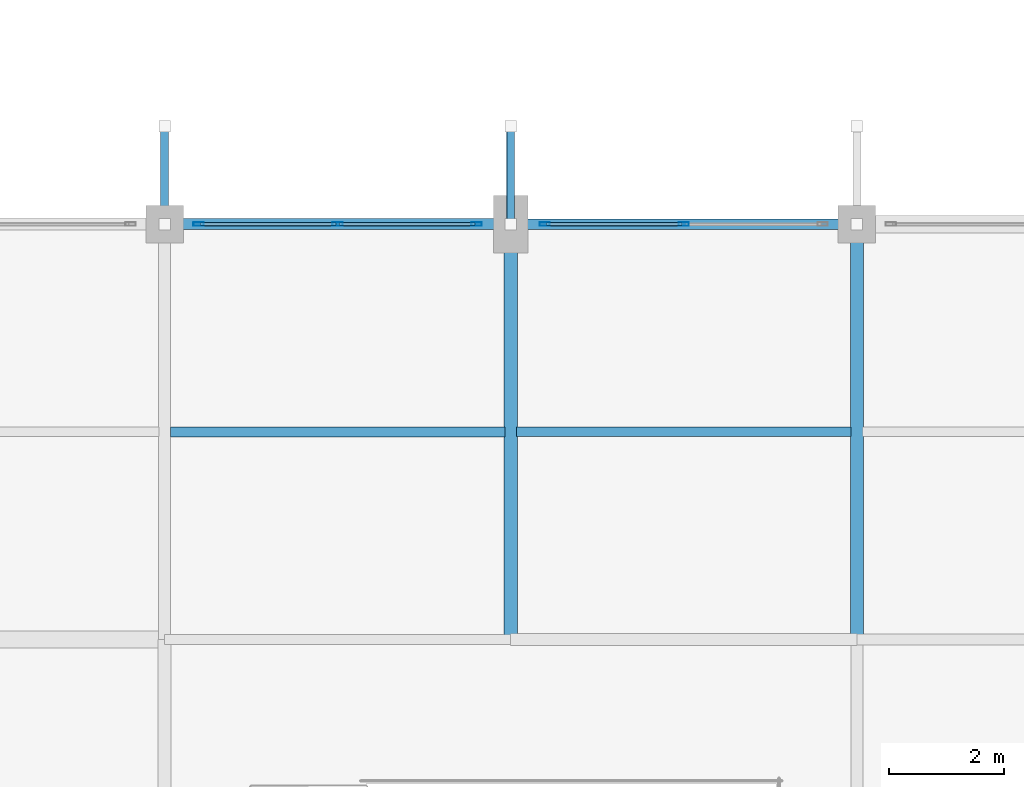
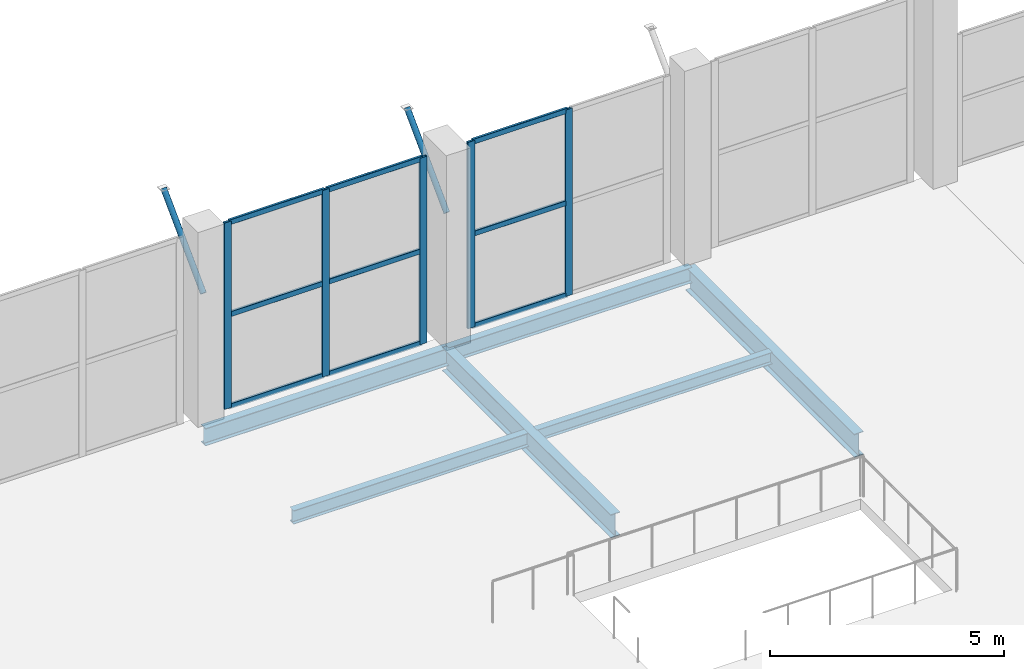
# One storey, part 59 of 127: 16 members, 6 beams, 2 elements without a shape of their own.
"""IFC4 building model written with IfcOpenShell, lengths in metres."""

from ifc_helpers import new_model, si_unit, direction, frame, origin, origin_2d, place, context, subcontext, project, spatial, hollow_rectangle, hollow_circle, i_section, extrude, material, layer, layer_set, material_profile, profile_set, type_object, element, aggregate, save


model = new_model("IFC4")

# Units and contexts
model_context = context("Model", 3, precision=1e-05, world=origin(), true_north=direction((0.0, 1.0)))
body_context = subcontext(model_context, "Body", "Model", "MODEL_VIEW")
ifc_project = project(units=[si_unit("LENGTHUNIT", "METRE"), si_unit("AREAUNIT", "SQUARE_METRE"), si_unit("VOLUMEUNIT", "CUBIC_METRE"), si_unit("PLANEANGLEUNIT", "RADIAN"), si_unit("MASSUNIT", "GRAM", prefix="KILO")], contexts=[model_context])

# Site, building, storey
site_placement = place(None, origin())
site = spatial("IfcSite", under=ifc_project, at=site_placement, CompositionType="ELEMENT")
building_placement = place(site_placement, origin())
building = spatial("IfcBuilding", under=site, at=building_placement, Name="Dunvalen Ferry Terminal", CompositionType="ELEMENT")
storey_placement = place(building_placement, frame((0.0, 0.0, 5.760009765625)))
storey = spatial("IfcBuildingStorey", under=building, at=storey_placement, Name="L01", CompositionType="ELEMENT", Elevation=5.760009765625)

# Curtain wall, members
ifc_material_1 = material(Name="Anodised marine aluminium and solar-control glazing", Category="aluminium")
ifc_layer = layer(ifc_material_1, 0.219970703125, Name="Anodised marine aluminium and solar-control glazing")
ifc_layer_set = layer_set([ifc_layer], Name="Anodised marine aluminium and solar-control glazing")
curtain_wall_type = type_object("IfcCurtainWallType", Name="ENV-CW-SYS-02", PredefinedType="NOTDEFINED", material=ifc_layer_set)
curtain_wall_1_placement = place(storey_placement, origin())
curtain_wall_1 = element("IfcCurtainWall", 1, at=curtain_wall_1_placement, inside=storey, type_object=curtain_wall_type, Name="L01 Curtain Wall CW-V1N-L01-12", PredefinedType="NOTDEFINED")
ifc_material_2 = material(Name="Anodised marine aluminium EN AW-6063 T6", Category="aluminium")
ifc_material_profile_1 = material_profile(ifc_material_2, hollow_rectangle(XDim=0.06005859375, YDim=0.179931640625, WallThickness=0.00341796875, InnerFilletRadius=0.00341796875, OuterFilletRadius=0.007080078125, at=origin_2d()), Name="Anodised marine aluminium EN AW-6063 T6")
ifc_profile_set_1 = profile_set([ifc_material_profile_1], Name="Anodised marine aluminium EN AW-6063 T6")
member_type_1 = type_object("IfcMemberType", Name="ENV-CW-MUL-2", PredefinedType="MULLION", material=ifc_profile_set_1)
member_1_placement = place(storey_placement, frame((78.590087890625, 86.39990234375, 0.0), z_axis=(0.0, 0.0, 1.0), x_axis=(0.0, 1.0, 0.0)))
member_1 = element("IfcMember", 2, at=member_1_placement, type_object=member_type_1, Name="CW-02 mullion 1", PredefinedType="MULLION", context=body_context, shape_type="SweptSolid", body=[
    extrude(hollow_rectangle(XDim=0.06005859375, YDim=0.179931640625, WallThickness=0.00341796875, InnerFilletRadius=0.00341796875, OuterFilletRadius=0.007080078125, at=origin_2d()), origin(), (0.0, 0.0, 1.0), 4.860107421875),
])
member_2_placement = place(storey_placement, frame((81.0, 86.39990234375, 0.0), z_axis=(0.0, 0.0, 1.0), x_axis=(0.0, 1.0, 0.0)))
member_2 = element("IfcMember", 3, at=member_2_placement, type_object=member_type_1, Name="CW-02 mullion 2", PredefinedType="MULLION", context=body_context, shape_type="SweptSolid", body=[
    extrude(hollow_rectangle(XDim=0.06005859375, YDim=0.179931640625, WallThickness=0.00341796875, InnerFilletRadius=0.00341796875, OuterFilletRadius=0.007080078125, at=origin_2d()), origin(), (0.0, 0.0, 1.0), 4.860107421875),
])
member_3_placement = place(storey_placement, frame((83.409912109375, 86.39990234375, 0.0), z_axis=(0.0, 0.0, 1.0), x_axis=(0.0, 1.0, 0.0)))
member_3 = element("IfcMember", 4, at=member_3_placement, type_object=member_type_1, Name="CW-02 mullion 3", PredefinedType="MULLION", context=body_context, shape_type="SweptSolid", body=[
    extrude(hollow_rectangle(XDim=0.06005859375, YDim=0.179931640625, WallThickness=0.00341796875, InnerFilletRadius=0.00341796875, OuterFilletRadius=0.007080078125, at=origin_2d()), origin(), (0.0, 0.0, 1.0), 4.860107421875),
])

curtain_wall_2_placement = place(storey_placement, origin())
curtain_wall_2 = element("IfcCurtainWall", 5, at=curtain_wall_2_placement, inside=storey, type_object=curtain_wall_type, Name="L01 Curtain Wall CW-V1N-L01-13", PredefinedType="NOTDEFINED")
member_4_placement = place(storey_placement, frame((84.590087890625, 86.39990234375, 0.0), z_axis=(0.0, 0.0, 1.0), x_axis=(0.0, 1.0, 0.0)))
member_4 = element("IfcMember", 6, at=member_4_placement, type_object=member_type_1, Name="CW-02 mullion 1", PredefinedType="MULLION", context=body_context, shape_type="SweptSolid", body=[
    extrude(hollow_rectangle(XDim=0.06005859375, YDim=0.179931640625, WallThickness=0.00341796875, InnerFilletRadius=0.00341796875, OuterFilletRadius=0.007080078125, at=origin_2d()), origin(), (0.0, 0.0, 1.0), 4.860107421875),
])
member_5_placement = place(storey_placement, frame((87.0, 86.39990234375, 0.0), z_axis=(0.0, 0.0, 1.0), x_axis=(0.0, 1.0, 0.0)))
member_5 = element("IfcMember", 7, at=member_5_placement, type_object=member_type_1, Name="CW-02 mullion 2", PredefinedType="MULLION", context=body_context, shape_type="SweptSolid", body=[
    extrude(hollow_rectangle(XDim=0.06005859375, YDim=0.179931640625, WallThickness=0.00341796875, InnerFilletRadius=0.00341796875, OuterFilletRadius=0.007080078125, at=origin_2d()), origin(), (0.0, 0.0, 1.0), 4.860107421875),
])

# Member
ifc_material_profile_2 = material_profile(ifc_material_2, hollow_rectangle(XDim=0.06005859375, YDim=0.135009765625, WallThickness=0.003173828125, InnerFilletRadius=0.003173828125, OuterFilletRadius=0.00634765625, at=origin_2d()), Name="Anodised marine aluminium EN AW-6063 T6")
ifc_profile_set_2 = profile_set([ifc_material_profile_2], Name="Anodised marine aluminium EN AW-6063 T6")
member_type_2 = type_object("IfcMemberType", Name="ENV-CW-TRN-2", PredefinedType="USERDEFINED", material=ifc_profile_set_2)
member_6_placement = place(storey_placement, frame((78.6201171875, 86.39990234375, 0.030029296875), z_axis=(1.0, 0.0, 0.0), x_axis=(0.0, 1.0, 0.0)))
member_6 = element("IfcMember", 8, at=member_6_placement, type_object=member_type_2, Name="CW-02 transom 1.1", ObjectType="TRANSOM", PredefinedType="USERDEFINED", context=body_context, shape_type="SweptSolid", body=[
    extrude(hollow_rectangle(XDim=0.06005859375, YDim=0.135009765625, WallThickness=0.003173828125, InnerFilletRadius=0.003173828125, OuterFilletRadius=0.00634765625, at=origin_2d()), origin(), (0.0, 0.0, 1.0), 2.349853515625),
])

member_7_placement = place(storey_placement, frame((78.6201171875, 86.39990234375, 2.429931640625), z_axis=(1.0, 0.0, 0.0), x_axis=(0.0, 1.0, 0.0)))
member_7 = element("IfcMember", 9, at=member_7_placement, type_object=member_type_2, Name="CW-02 transom 1.2", ObjectType="TRANSOM", PredefinedType="USERDEFINED", context=body_context, shape_type="SweptSolid", body=[
    extrude(hollow_rectangle(XDim=0.06005859375, YDim=0.135009765625, WallThickness=0.003173828125, InnerFilletRadius=0.003173828125, OuterFilletRadius=0.00634765625, at=origin_2d()), origin(), (0.0, 0.0, 1.0), 2.349853515625),
])

member_8_placement = place(storey_placement, frame((78.6201171875, 86.39990234375, 4.830078125), z_axis=(1.0, 0.0, 0.0), x_axis=(0.0, 1.0, 0.0)))
member_8 = element("IfcMember", 10, at=member_8_placement, type_object=member_type_2, Name="CW-02 transom 1.3", ObjectType="TRANSOM", PredefinedType="USERDEFINED", context=body_context, shape_type="SweptSolid", body=[
    extrude(hollow_rectangle(XDim=0.06005859375, YDim=0.135009765625, WallThickness=0.003173828125, InnerFilletRadius=0.003173828125, OuterFilletRadius=0.00634765625, at=origin_2d()), origin(), (0.0, 0.0, 1.0), 2.349853515625),
])

member_9_placement = place(storey_placement, frame((81.030029296875, 86.39990234375, 0.030029296875), z_axis=(1.0, 0.0, 0.0), x_axis=(0.0, 1.0, 0.0)))
member_9 = element("IfcMember", 11, at=member_9_placement, type_object=member_type_2, Name="CW-02 transom 2.1", ObjectType="TRANSOM", PredefinedType="USERDEFINED", context=body_context, shape_type="SweptSolid", body=[
    extrude(hollow_rectangle(XDim=0.06005859375, YDim=0.135009765625, WallThickness=0.003173828125, InnerFilletRadius=0.003173828125, OuterFilletRadius=0.00634765625, at=origin_2d()), origin(), (0.0, 0.0, 1.0), 2.349853515625),
])

member_10_placement = place(storey_placement, frame((81.030029296875, 86.39990234375, 2.429931640625), z_axis=(1.0, 0.0, 0.0), x_axis=(0.0, 1.0, 0.0)))
member_10 = element("IfcMember", 12, at=member_10_placement, type_object=member_type_2, Name="CW-02 transom 2.2", ObjectType="TRANSOM", PredefinedType="USERDEFINED", context=body_context, shape_type="SweptSolid", body=[
    extrude(hollow_rectangle(XDim=0.06005859375, YDim=0.135009765625, WallThickness=0.003173828125, InnerFilletRadius=0.003173828125, OuterFilletRadius=0.00634765625, at=origin_2d()), origin(), (0.0, 0.0, 1.0), 2.349853515625),
])

member_11_placement = place(storey_placement, frame((81.030029296875, 86.39990234375, 4.830078125), z_axis=(1.0, 0.0, 0.0), x_axis=(0.0, 1.0, 0.0)))
member_11 = element("IfcMember", 13, at=member_11_placement, type_object=member_type_2, Name="CW-02 transom 2.3", ObjectType="TRANSOM", PredefinedType="USERDEFINED", context=body_context, shape_type="SweptSolid", body=[
    extrude(hollow_rectangle(XDim=0.06005859375, YDim=0.135009765625, WallThickness=0.003173828125, InnerFilletRadius=0.003173828125, OuterFilletRadius=0.00634765625, at=origin_2d()), origin(), (0.0, 0.0, 1.0), 2.349853515625),
])

aggregate(curtain_wall_1, [member_1, member_2, member_3, member_6, member_7, member_8, member_9, member_10, member_11])

member_12_placement = place(storey_placement, frame((84.6201171875, 86.39990234375, 0.030029296875), z_axis=(1.0, 0.0, 0.0), x_axis=(0.0, 1.0, 0.0)))
member_12 = element("IfcMember", 14, at=member_12_placement, type_object=member_type_2, Name="CW-02 transom 1.1", ObjectType="TRANSOM", PredefinedType="USERDEFINED", context=body_context, shape_type="SweptSolid", body=[
    extrude(hollow_rectangle(XDim=0.06005859375, YDim=0.135009765625, WallThickness=0.003173828125, InnerFilletRadius=0.003173828125, OuterFilletRadius=0.00634765625, at=origin_2d()), origin(), (0.0, 0.0, 1.0), 2.349853515625),
])

member_13_placement = place(storey_placement, frame((84.6201171875, 86.39990234375, 2.429931640625), z_axis=(1.0, 0.0, 0.0), x_axis=(0.0, 1.0, 0.0)))
member_13 = element("IfcMember", 15, at=member_13_placement, type_object=member_type_2, Name="CW-02 transom 1.2", ObjectType="TRANSOM", PredefinedType="USERDEFINED", context=body_context, shape_type="SweptSolid", body=[
    extrude(hollow_rectangle(XDim=0.06005859375, YDim=0.135009765625, WallThickness=0.003173828125, InnerFilletRadius=0.003173828125, OuterFilletRadius=0.00634765625, at=origin_2d()), origin(), (0.0, 0.0, 1.0), 2.349853515625),
])

member_14_placement = place(storey_placement, frame((84.6201171875, 86.39990234375, 4.830078125), z_axis=(1.0, 0.0, 0.0), x_axis=(0.0, 1.0, 0.0)))
member_14 = element("IfcMember", 16, at=member_14_placement, type_object=member_type_2, Name="CW-02 transom 1.3", ObjectType="TRANSOM", PredefinedType="USERDEFINED", context=body_context, shape_type="SweptSolid", body=[
    extrude(hollow_rectangle(XDim=0.06005859375, YDim=0.135009765625, WallThickness=0.003173828125, InnerFilletRadius=0.003173828125, OuterFilletRadius=0.00634765625, at=origin_2d()), origin(), (0.0, 0.0, 1.0), 2.349853515625),
])

aggregate(curtain_wall_2, [member_4, member_5, member_12, member_13, member_14])

# Beams
ifc_material_3 = material(Name="Steel S355", Category="steel")
ifc_material_profile_3 = material_profile(ifc_material_3, i_section(OverallWidth=0.1650390625, OverallDepth=0.303466796875, WebThickness=0.006103515625, FlangeThickness=0.01025390625, FilletRadius=0.0087890625, at=origin_2d()), Name="Steel S355")
ifc_profile_set_3 = profile_set([ifc_material_profile_3], Name="Steel S355")
beam_type_1 = type_object("IfcBeamType", Name="STR-BM-UKB305", PredefinedType="JOIST", material=ifc_profile_set_3)
beam_1_placement = place(storey_placement, frame((84.10009765625, 82.800048828125, -0.431640625), z_axis=(1.0, 0.0, 0.0), x_axis=(0.0, 1.0, 0.0)))
element("IfcBeam", 17, at=beam_1_placement, inside=storey, type_object=beam_type_1, Name="L01 V1M Secondary Joist 033", PredefinedType="JOIST", context=body_context, shape_type="SweptSolid", body=[
    extrude(i_section(OverallWidth=0.1650390625, OverallDepth=0.303466796875, WebThickness=0.006103515625, FlangeThickness=0.01025390625, FilletRadius=0.0087890625, at=origin_2d()), origin(), (0.0, 0.0, 1.0), 5.7998046875),
])
ifc_material_profile_4 = material_profile(ifc_material_3, i_section(OverallWidth=0.17138671875, OverallDepth=0.35498046875, WebThickness=0.00732421875, FlangeThickness=0.011474609375, FilletRadius=0.01025390625, at=origin_2d()), Name="Steel S355")
ifc_profile_set_4 = profile_set([ifc_material_profile_4], Name="Steel S355")
beam_type_2 = type_object("IfcBeamType", Name="STR-BM-UKB356", PredefinedType="JOIST", material=ifc_profile_set_4)
beam_2_placement = place(storey_placement, frame((78.10009765625, 82.800048828125, -0.45751953125), z_axis=(1.0, 0.0, 0.0), x_axis=(0.0, 1.0, 0.0)))
element("IfcBeam", 18, at=beam_2_placement, inside=storey, type_object=beam_type_2, Name="L01 V1M Secondary Joist 030", PredefinedType="JOIST", context=body_context, shape_type="SweptSolid", body=[
    extrude(i_section(OverallWidth=0.17138671875, OverallDepth=0.35498046875, WebThickness=0.00732421875, FlangeThickness=0.011474609375, FilletRadius=0.01025390625, at=origin_2d()), origin(), (0.0, 0.0, 1.0), 5.7998046875),
])
ifc_material_profile_5 = material_profile(ifc_material_3, i_section(OverallWidth=0.177978515625, OverallDepth=0.406494140625, WebThickness=0.0078125, FlangeThickness=0.0126953125, FilletRadius=0.01025390625, at=origin_2d()), Name="Steel S355")
ifc_profile_set_5 = profile_set([ifc_material_profile_5], Name="Steel S355")
beam_type_3 = type_object("IfcBeamType", Name="STR-BM-UKB406", PredefinedType="JOIST", material=ifc_profile_set_5)
beam_3_placement = place(storey_placement, frame((84.0, 86.39990234375, -0.483154296875), z_axis=(1.0, 0.0, 0.0), x_axis=(0.0, 1.0, 0.0)))
element("IfcBeam", 19, at=beam_3_placement, inside=storey, type_object=beam_type_3, Name="L01 V1M Primary Beam X-074", PredefinedType="JOIST", context=body_context, shape_type="SweptSolid", body=[
    extrude(i_section(OverallWidth=0.177978515625, OverallDepth=0.406494140625, WebThickness=0.0078125, FlangeThickness=0.0126953125, FilletRadius=0.01025390625, at=origin_2d()), origin(), (0.0, 0.0, 1.0), 6.0),
])
ifc_material_profile_6 = material_profile(ifc_material_3, i_section(OverallWidth=0.1904296875, OverallDepth=0.45703125, WebThickness=0.009033203125, FlangeThickness=0.014404296875, FilletRadius=0.01025390625, at=origin_2d()), Name="Steel S355")
ifc_profile_set_6 = profile_set([ifc_material_profile_6], Name="Steel S355")
beam_type_4 = type_object("IfcBeamType", Name="STR-BM-UKB457", PredefinedType="BEAM", material=ifc_profile_set_6)
beam_4_placement = place(storey_placement, frame((78.0, 86.39990234375, -0.508544921875), z_axis=(1.0, 0.0, 0.0), x_axis=(0.0, 1.0, 0.0)))
element("IfcBeam", 20, at=beam_4_placement, inside=storey, type_object=beam_type_4, Name="L01 V1M Primary Beam X-073", PredefinedType="BEAM", context=body_context, shape_type="SweptSolid", body=[
    extrude(i_section(OverallWidth=0.1904296875, OverallDepth=0.45703125, WebThickness=0.009033203125, FlangeThickness=0.014404296875, FilletRadius=0.01025390625, at=origin_2d()), origin(), (0.0, 0.0, 1.0), 6.0),
])
ifc_material_profile_7 = material_profile(ifc_material_3, i_section(OverallWidth=0.228271484375, OverallDepth=0.607666015625, WebThickness=0.010986328125, FlangeThickness=0.017333984375, FilletRadius=0.0126953125, at=origin_2d()), Name="Steel S355")
ifc_profile_set_7 = profile_set([ifc_material_profile_7], Name="Steel S355")
beam_type_5 = type_object("IfcBeamType", Name="STR-BM-UKB610", PredefinedType="BEAM", material=ifc_profile_set_7)
for number, where, z_axis, x_axis, name in (
    (21, (84.0, 79.199951171875, -0.583740234375), (0.0, 1.0, 0.0), (-1.0, 0.0, 0.0), "L01 V1M Primary Girder Y-132"),
    (22, (90.0, 79.199951171875, -0.583740234375), (0.0, 1.0, 0.0), (-1.0, 0.0, 0.0), "L01 V1M Primary Girder Y-138"),
):
    element("IfcBeam", number, at=place(storey_placement, frame(where, z_axis=z_axis, x_axis=x_axis)), inside=storey, type_object=beam_type_5, Name=name, PredefinedType="BEAM", context=body_context, shape_type="SweptSolid", body=[
        extrude(i_section(OverallWidth=0.228271484375, OverallDepth=0.607666015625, WebThickness=0.010986328125, FlangeThickness=0.017333984375, FilletRadius=0.0126953125, at=origin_2d()), origin(), (0.0, 0.0, 1.0), 7.199951171875),
    ])

# Members
ifc_material_profile_8 = material_profile(ifc_material_3, hollow_circle(Radius=0.06982421875, WallThickness=0.00634765625, at=origin_2d()), Name="Steel S355")
ifc_profile_set_8 = profile_set([ifc_material_profile_8], Name="Steel S355")
member_type_3 = type_object("IfcMemberType", Name="STR-MB-CHS139", PredefinedType="BRACE", material=ifc_profile_set_8)
for number, where, z_axis, x_axis, name in (
    (23, (78.0, 86.39990234375, 3.18994140625), (0.0, 0.705078956609, 0.709128807021), (-1.0, 0.0, 0.0), "Departure Hall North Eave Knee Strut 12"),
    (24, (84.0, 86.39990234375, 3.18994140625), (0.0, 0.705078956609, 0.709128807021), (-1.0, 0.0, 0.0), "Departure Hall North Eave Knee Strut 13"),
):
    element("IfcMember", number, at=place(storey_placement, frame(where, z_axis=z_axis, x_axis=x_axis)), inside=storey, type_object=member_type_3, Name=name, PredefinedType="BRACE", context=body_context, shape_type="SweptSolid", body=[
        extrude(hollow_circle(Radius=0.06982421875, WallThickness=0.00634765625, at=origin_2d()), origin(), (0.0, 0.0, 1.0), 2.411376953125),
    ])

save(model, "model.ifc")
